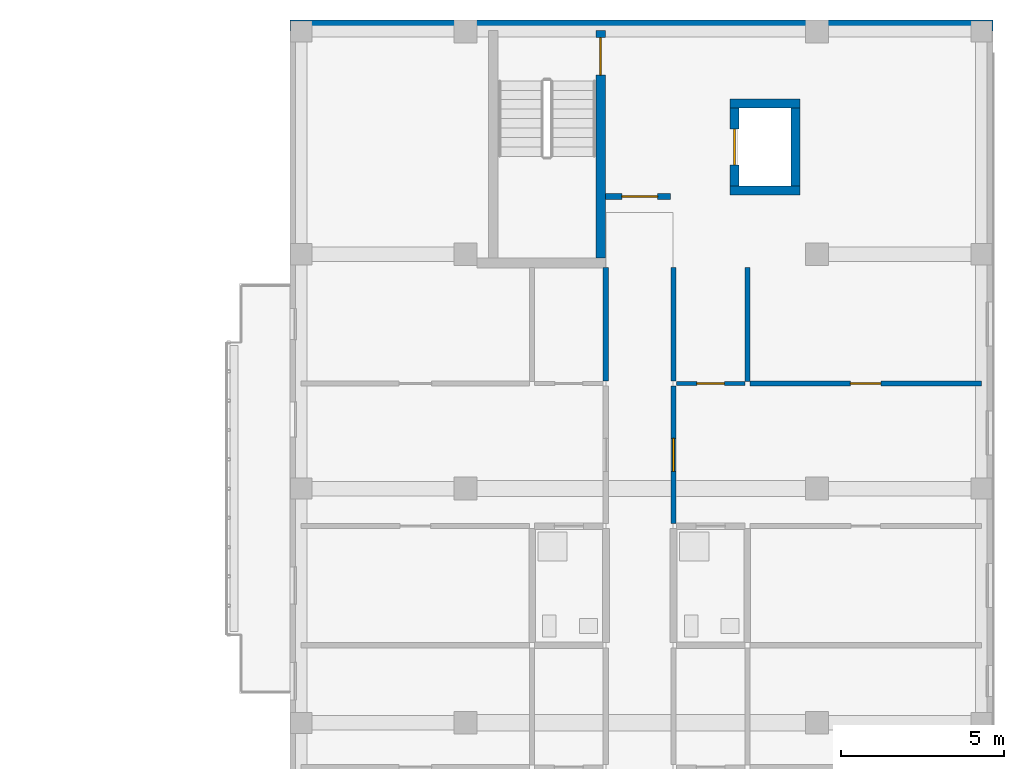
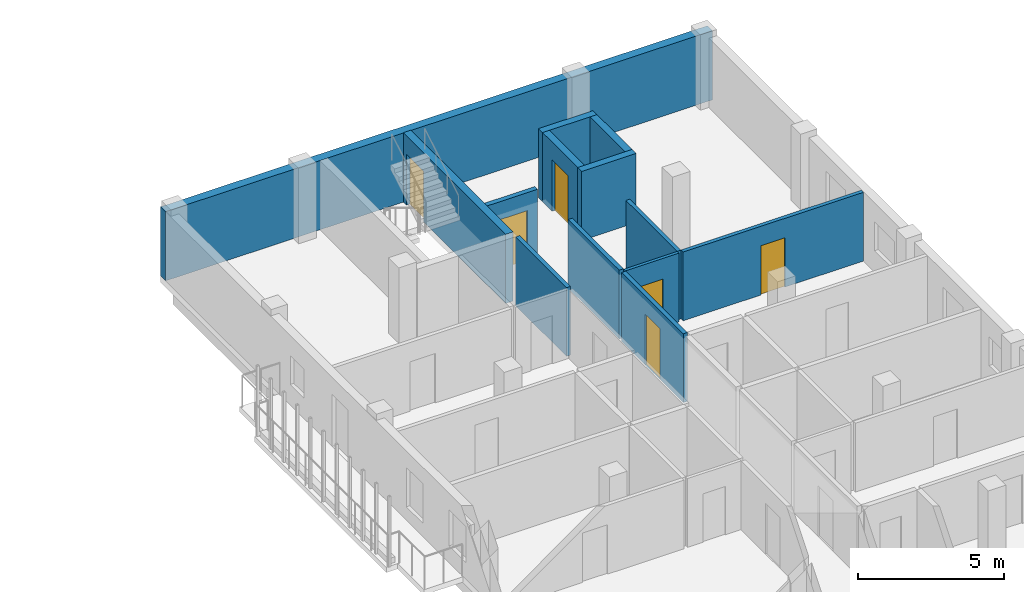
# One storey, part 39 of 56: 13 walls, 6 doors, 6 openings.
"""IFC4 building model written with IfcOpenShell, lengths in metres."""

from ifc_helpers import new_model, si_unit, derived_unit, direction, frame, frame_2d, origin, place, context, subcontext, project, spatial, rectangle, extrude, material, layer, layer_set, type_object, element, fill, save


model = new_model("IFC4")

# Units and contexts
model_context = context("Model", 3, precision=1e-05, world=origin(), true_north=direction((0.0, 1.0)))
body_context = subcontext(model_context, "Body", "Model", "MODEL_VIEW")
ifc_project = project(units=[si_unit("LENGTHUNIT", "METRE"), si_unit("AREAUNIT", "SQUARE_METRE"), si_unit("VOLUMEUNIT", "CUBIC_METRE"), si_unit("PLANEANGLEUNIT", "RADIAN"), si_unit("MASSUNIT", "GRAM", prefix="KILO"), derived_unit("THERMALTRANSMITTANCEUNIT", [(si_unit("MASSUNIT", "GRAM", prefix="KILO"), 1), (si_unit("TIMEUNIT", "SECOND"), -3), (si_unit("THERMODYNAMICTEMPERATUREUNIT", "KELVIN"), -1)])], contexts=[model_context])

# Site, building, storey
site_placement = place(None, origin())
site = spatial("IfcSite", under=ifc_project, at=site_placement, CompositionType="ELEMENT")
building_placement = place(site_placement, origin())
building = spatial("IfcBuilding", under=site, at=building_placement, Name="Ochrekiln Boulevard Commons", CompositionType="ELEMENT")
storey_placement = place(building_placement, frame((0.0, 0.0, 12.074951171875)))
storey = spatial("IfcBuildingStorey", under=building, at=storey_placement, Name="L03", CompositionType="ELEMENT", Elevation=12.074951171875)

# Walls
ifc_material_1 = material(Name="Iron-spot brown clinker brick masonry ASTM C216 Grade SW", Category="masonry")
ifc_layer_1 = layer(ifc_material_1, 0.340087890625)
ifc_layer_set_1 = layer_set([ifc_layer_1], Name="Iron-spot brown clinker brick masonry ASTM C216 Grade SW")
wall_type_1 = type_object("IfcWallType", Name="WL-EXT-IRON-340", PredefinedType="SOLIDWALL", material=ifc_layer_set_1)
wall_1_placement = place(storey_placement, frame((151.199951171875, 118.6298828125, 0.0), z_axis=(0.0, 0.0, 1.0), x_axis=(1.0, 0.0, 0.0)))
element("IfcWall", 1, at=wall_1_placement, inside=storey, type_object=wall_type_1, Name="Block B L03 N Exterior Wall", PredefinedType="SOLIDWALL", context=body_context, shape_type="SweptSolid", body=[
    extrude(rectangle(XDim=21.60009765625, YDim=0.340087890625, at=frame_2d((10.800048828125, 0.0))), origin(), (0.0, 0.0, 1.0), 2.89013671875),
])
ifc_material_2 = material(Name="Fire-rated Type X gypsum board on steel studs", Category="steel")
ifc_layer_2 = layer(ifc_material_2, 0.1650390625)
ifc_layer_set_2 = layer_set([ifc_layer_2], Name="Fire-rated Type X gypsum board on steel studs")
wall_type_2 = type_object("IfcWallType", Name="WL-PT-CORR-165", PredefinedType="PARTITIONING", material=ifc_layer_set_2)
wall_2_placement = place(storey_placement, frame((160.909912109375, 107.70703125, 0.0), z_axis=(0.0, 0.0, 1.0), x_axis=(0.0, 1.0, 0.0)))
element("IfcWall", 2, at=wall_2_placement, inside=storey, type_object=wall_type_2, Name="L03 Interior Wall W-PC165", PredefinedType="PARTITIONING", context=body_context, shape_type="SweptSolid", body=[
    extrude(rectangle(XDim=3.492919921875, YDim=0.1650390625, at=frame_2d((1.74658203125, 0.0))), origin(), (0.0, 0.0, 1.0), 2.8701171875),
])

# Wall, opening, door
wall_3_placement = place(storey_placement, frame((162.989990234375, 103.326904296875, 0.0), z_axis=(0.0, 0.0, 1.0), x_axis=(0.0, 1.0, 0.0)))
wall_3 = element("IfcWall", 3, at=wall_3_placement, inside=storey, type_object=wall_type_2, Name="L03 Interior Wall W-PC165", PredefinedType="PARTITIONING", context=body_context, shape_type="SweptSolid", body=[
    extrude(rectangle(XDim=4.22021484375, YDim=0.1650390625, at=frame_2d((2.110107421875, 0.0))), origin(), (0.0, 0.0, 1.0), 2.8701171875),
])
opening_1_placement = place(wall_3_placement, frame((1.60498046875, 0.0, 0.0)))
opening_1 = element("IfcOpeningElement", 4, at=opening_1_placement, cuts=wall_3, Name="Opening D-L03-481", PredefinedType="OPENING", context=body_context, shape_type="SweptSolid", body=[
    extrude(rectangle(XDim=1.010009765625, YDim=2.110107421875, at=frame_2d((0.5048828125, 1.05517578125))), frame((0.0, 0.092529296875, 0.0), z_axis=(0.0, -1.0, 0.0), x_axis=(1.0, 0.0, 0.0)), (0.0, 0.0, 1.0), 0.18505859375),
])
ifc_material_3 = material(Name="Solid core architectural oak door leaf")
door_type_1 = type_object("IfcDoorType", Name="DR-INT-APT-101", OperationType="NOTDEFINED", PredefinedType="DOOR", material=ifc_material_3)
door_1_placement = place(opening_1_placement, frame((1.010009765625, 0.0, 0.0), z_axis=(0.0, 0.0, 1.0), x_axis=(-1.0, 0.0, 0.0)))
door_1 = element("IfcDoor", 5, at=door_1_placement, inside=storey, type_object=door_type_1, Name="L03 Interior Door to Two-Bedroom Apartment Living Room", OperationType="SINGLE_SWING_LEFT", OverallHeight=2.110107421875, OverallWidth=1.010009765625, PredefinedType="DOOR", context=body_context, shape_type="SweptSolid", body=[
    extrude(rectangle(XDim=1.010009765625, YDim=2.110107421875, at=frame_2d((0.5048828125, 1.05517578125))), frame((0.0, 0.02490234375, 0.0), z_axis=(0.0, -1.0, 0.0), x_axis=(1.0, 0.0, 0.0)), (0.0, 0.0, 1.0), 0.050048828125),
])
fill(opening_1, door_1)

# Wall
wall_4_placement = place(storey_placement, frame((162.989990234375, 107.70703125, 0.0), z_axis=(0.0, 0.0, 1.0), x_axis=(0.0, 1.0, 0.0)))
element("IfcWall", 6, at=wall_4_placement, inside=storey, type_object=wall_type_2, Name="L03 Interior Wall W-PC165", PredefinedType="PARTITIONING", context=body_context, shape_type="SweptSolid", body=[
    extrude(rectangle(XDim=3.492919921875, YDim=0.1650390625, at=frame_2d((1.74658203125, 0.0))), origin(), (0.0, 0.0, 1.0), 2.8701171875),
])

# Wall, opening, door
ifc_layer_3 = layer(ifc_material_2, 0.18994140625)
ifc_layer_set_3 = layer_set([ifc_layer_3], Name="Fire-rated Type X gypsum board on steel studs")
wall_type_3 = type_object("IfcWallType", Name="WL-PT-LBY-190", PredefinedType="PARTITIONING", material=ifc_layer_set_3)
wall_5_placement = place(storey_placement, frame((160.89990234375, 113.3798828125, 0.0), z_axis=(0.0, 0.0, 1.0), x_axis=(1.0, 0.0, 0.0)))
wall_5 = element("IfcWall", 7, at=wall_5_placement, inside=storey, type_object=wall_type_3, Name="L03 Interior Wall W-PL190", PredefinedType="PARTITIONING", context=body_context, shape_type="SweptSolid", body=[
    extrude(rectangle(XDim=2.0, YDim=0.18994140625, at=frame_2d((1.0, 0.0))), origin(), (0.0, 0.0, 1.0), 2.8701171875),
])
opening_2_placement = place(wall_5_placement, frame((0.5, 0.0, 0.0)))
opening_2 = element("IfcOpeningElement", 8, at=opening_2_placement, cuts=wall_5, Name="Opening D-L03-473", PredefinedType="OPENING", context=body_context, shape_type="SweptSolid", body=[
    extrude(rectangle(XDim=1.10009765625, YDim=2.1201171875, at=frame_2d((0.550048828125, 1.06005859375))), frame((0.0, 0.10498046875, 0.0), z_axis=(0.0, -1.0, 0.0), x_axis=(1.0, 0.0, 0.0)), (0.0, 0.0, 1.0), 0.2099609375),
])
ifc_material_4 = material(Name="Hollow metal fire-rated steel door assembly", Category="steel")
door_type_2 = type_object("IfcDoorType", Name="DR-LOBBY-60", OperationType="NOTDEFINED", PredefinedType="DOOR", material=ifc_material_4)
door_2_placement = place(opening_2_placement, origin())
door_2 = element("IfcDoor", 9, at=door_2_placement, inside=storey, type_object=door_type_2, Name="L03 Interior Door to Fire Service Access Elevator Lobby", OperationType="SINGLE_SWING_LEFT", OverallHeight=2.1201171875, OverallWidth=1.10009765625, PredefinedType="DOOR", context=body_context, shape_type="SweptSolid", body=[
    extrude(rectangle(XDim=1.10009765625, YDim=2.1201171875, at=frame_2d((0.550048828125, 1.06005859375))), frame((0.0, 0.02490234375, 0.0), z_axis=(0.0, -1.0, 0.0), x_axis=(1.0, 0.0, 0.0)), (0.0, 0.0, 1.0), 0.050048828125),
])
fill(opening_2, door_2)

ifc_layer_4 = layer(ifc_material_2, 0.1201171875)
ifc_layer_set_4 = layer_set([ifc_layer_4], Name="Fire-rated Type X gypsum board on steel studs")
wall_type_4 = type_object("IfcWallType", Name="WL-PT-LGT-120", PredefinedType="PARTITIONING", material=ifc_layer_set_4)
wall_6_placement = place(storey_placement, frame((163.072998046875, 107.626953125, 0.0), z_axis=(0.0, 0.0, 1.0), x_axis=(1.0, 0.0, 0.0)))
wall_6 = element("IfcWall", 10, at=wall_6_placement, inside=storey, type_object=wall_type_4, Name="L03 Interior Wall W-PL120", PredefinedType="PARTITIONING", context=body_context, shape_type="SweptSolid", body=[
    extrude(rectangle(XDim=2.10693359375, YDim=0.1201171875, at=frame_2d((1.053466796875, 0.0))), origin(), (0.0, 0.0, 1.0), 2.8701171875),
])
opening_3_placement = place(wall_6_placement, frame((0.632080078125, 0.0, 0.0)))
opening_3 = element("IfcOpeningElement", 11, at=opening_3_placement, cuts=wall_6, Name="Opening D-L03-499", PredefinedType="OPENING", context=body_context, shape_type="SweptSolid", body=[
    extrude(rectangle(XDim=0.85009765625, YDim=2.010009765625, at=frame_2d((0.425048828125, 1.0048828125))), frame((0.0, 0.070068359375, 0.0), z_axis=(0.0, -1.0, 0.0), x_axis=(1.0, 0.0, 0.0)), (0.0, 0.0, 1.0), 0.14013671875),
])
door_type_3 = type_object("IfcDoorType", Name="DR-INT-KIT-085", OperationType="NOTDEFINED", PredefinedType="DOOR", material=ifc_material_3)
door_3_placement = place(opening_3_placement, origin())
door_3 = element("IfcDoor", 12, at=door_3_placement, inside=storey, type_object=door_type_3, Name="L03 Interior Door to Apartment Kitchen", OperationType="SINGLE_SWING_LEFT", OverallHeight=2.010009765625, OverallWidth=0.85009765625, PredefinedType="DOOR", context=body_context, shape_type="SweptSolid", body=[
    extrude(rectangle(XDim=0.85009765625, YDim=2.010009765625, at=frame_2d((0.425048828125, 1.0048828125))), frame((0.0, 0.02490234375, 0.0), z_axis=(0.0, -1.0, 0.0), x_axis=(1.0, 0.0, 0.0)), (0.0, 0.0, 1.0), 0.050048828125),
])
fill(opening_3, door_3)

ifc_layer_5 = layer(ifc_material_2, 0.14990234375)
ifc_layer_set_5 = layer_set([ifc_layer_5], Name="Fire-rated Type X gypsum board on steel studs")
wall_type_5 = type_object("IfcWallType", Name="WL-PT-STD-150", PredefinedType="PARTITIONING", material=ifc_layer_set_5)
wall_7_placement = place(storey_placement, frame((165.340087890625, 107.626953125, 0.0), z_axis=(0.0, 0.0, 1.0), x_axis=(1.0, 0.0, 0.0)))
wall_7 = element("IfcWall", 13, at=wall_7_placement, inside=storey, type_object=wall_type_5, Name="L03 Interior Wall W-PS150", PredefinedType="PARTITIONING", context=body_context, shape_type="SweptSolid", body=[
    extrude(rectangle(XDim=7.119873046875, YDim=0.14990234375, at=frame_2d((3.56005859375, 0.0))), origin(), (0.0, 0.0, 1.0), 2.8701171875),
])
opening_4_placement = place(wall_7_placement, frame((3.0849609375, 0.0, 0.0)))
opening_4 = element("IfcOpeningElement", 14, at=opening_4_placement, cuts=wall_7, Name="Opening D-L03-501", PredefinedType="OPENING", context=body_context, shape_type="SweptSolid", body=[
    extrude(rectangle(XDim=0.93994140625, YDim=2.06005859375, at=frame_2d((0.469970703125, 1.030029296875))), frame((0.0, 0.0849609375, 0.0), z_axis=(0.0, -1.0, 0.0), x_axis=(1.0, 0.0, 0.0)), (0.0, 0.0, 1.0), 0.169921875),
])
door_type_4 = type_object("IfcDoorType", Name="DR-INT-BED-094", OperationType="NOTDEFINED", PredefinedType="DOOR", material=ifc_material_3)
door_4_placement = place(opening_4_placement, origin())
door_4 = element("IfcDoor", 15, at=door_4_placement, inside=storey, type_object=door_type_4, Name="L03 Interior Door to Secondary Apartment Bedroom", OperationType="SINGLE_SWING_LEFT", OverallHeight=2.06005859375, OverallWidth=0.93994140625, PredefinedType="DOOR", context=body_context, shape_type="SweptSolid", body=[
    extrude(rectangle(XDim=0.93994140625, YDim=2.06005859375, at=frame_2d((0.469970703125, 1.030029296875))), frame((0.0, 0.02490234375, 0.0), z_axis=(0.0, -1.0, 0.0), x_axis=(1.0, 0.0, 0.0)), (0.0, 0.0, 1.0), 0.050048828125),
])
fill(opening_4, door_4)

# Walls
wall_8_placement = place(storey_placement, frame((165.260009765625, 107.68701171875, 0.0), z_axis=(0.0, 0.0, 1.0), x_axis=(0.0, 1.0, 0.0)))
element("IfcWall", 16, at=wall_8_placement, inside=storey, type_object=wall_type_5, Name="L03 Interior Wall W-PS150", PredefinedType="PARTITIONING", context=body_context, shape_type="SweptSolid", body=[
    extrude(rectangle(XDim=3.512939453125, YDim=0.14990234375, at=frame_2d((1.75634765625, 0.0))), origin(), (0.0, 0.0, 1.0), 2.8701171875),
])
ifc_material_5 = material(Name="Concrete C40/50", Category="concrete")
ifc_layer_6 = layer(ifc_material_5, 0.27490234375)
ifc_layer_set_6 = layer_set([ifc_layer_6], Name="Concrete C40/50")
wall_type_6 = type_object("IfcWallType", Name="WL-SH-275", PredefinedType="SHEAR", material=ifc_layer_set_6)
for number, where, z_axis, x_axis, name in (
    (17, (164.72509765625, 113.5625, 0.0), (0.0, 0.0, 1.0), (1.0, 0.0, 0.0), "Elevator FF-B2 L03 Hoistway Shear Wall"),
    (18, (164.72509765625, 116.237548828125, 0.0), (0.0, 0.0, 1.0), (1.0, 0.0, 0.0), "Elevator FF-B2 L03 Hoistway Shear Wall"),
):
    element("IfcWall", number, at=place(storey_placement, frame(where, z_axis=z_axis, x_axis=x_axis)), inside=storey, type_object=wall_type_6, Name=name, PredefinedType="SHEAR", context=body_context, shape_type="SweptSolid", body=[
        extrude(rectangle(XDim=2.14990234375, YDim=0.27490234375, at=frame_2d((1.074951171875, 0.0))), origin(), (0.0, 0.0, 1.0), 2.89013671875),
    ])

# Wall, opening, door
wall_9_placement = place(storey_placement, frame((164.862548828125, 113.699951171875, 0.0), z_axis=(0.0, 0.0, 1.0), x_axis=(0.0, 1.0, 0.0)))
wall_9 = element("IfcWall", 19, at=wall_9_placement, inside=storey, type_object=wall_type_6, Name="Elevator FF-B2 L03 Hoistway Shear Wall", PredefinedType="SHEAR", context=body_context, shape_type="SweptSolid", body=[
    extrude(rectangle(XDim=2.400146484375, YDim=0.27490234375, at=frame_2d((1.2001953125, 0.0))), origin(), (0.0, 0.0, 1.0), 2.89013671875),
])
opening_5_placement = place(wall_9_placement, frame((0.64990234375, 0.0, 0.0)))
opening_5 = element("IfcOpeningElement", 20, at=opening_5_placement, cuts=wall_9, Name="Opening LD-FF-B2-L03", PredefinedType="OPENING", context=body_context, shape_type="SweptSolid", body=[
    extrude(rectangle(XDim=1.10009765625, YDim=2.14990234375, at=frame_2d((0.550048828125, 1.074951171875))), frame((0.0, 0.1474609375, 0.0), z_axis=(0.0, -1.0, 0.0), x_axis=(1.0, 0.0, 0.0)), (0.0, 0.0, 1.0), 0.294921875),
])
ifc_material_6 = material(Name="Brushed stainless steel 316 elevator cab and doors", Category="steel")
door_type_5 = type_object("IfcDoorType", Name="DR-LIFT-LD90", OperationType="SLIDING_TO_LEFT", PredefinedType="DOOR", material=ifc_material_6)
door_5_placement = place(opening_5_placement, origin())
door_5 = element("IfcDoor", 21, at=door_5_placement, inside=storey, type_object=door_type_5, Name="Elevator FF-B2 L03 Sliding Landing Door LD-FF-B2-L03", OperationType="SLIDING_TO_LEFT", OverallHeight=2.14990234375, OverallWidth=1.10009765625, PredefinedType="DOOR", context=body_context, shape_type="SweptSolid", body=[
    extrude(rectangle(XDim=1.10009765625, YDim=2.14990234375, at=frame_2d((0.550048828125, 1.074951171875))), frame((0.0, 0.02490234375, 0.0), z_axis=(0.0, -1.0, 0.0), x_axis=(1.0, 0.0, 0.0)), (0.0, 0.0, 1.0), 0.050048828125),
])
fill(opening_5, door_5)

# Wall
wall_10_placement = place(storey_placement, frame((166.737548828125, 113.699951171875, 0.0), z_axis=(0.0, 0.0, 1.0), x_axis=(0.0, 1.0, 0.0)))
element("IfcWall", 22, at=wall_10_placement, inside=storey, type_object=wall_type_6, Name="Elevator FF-B2 L03 Hoistway Shear Wall", PredefinedType="SHEAR", context=body_context, shape_type="SweptSolid", body=[
    extrude(rectangle(XDim=2.400146484375, YDim=0.27490234375, at=frame_2d((1.2001953125, 0.0))), origin(), (0.0, 0.0, 1.0), 2.89013671875),
])

# Wall, opening, door
ifc_layer_7 = layer(ifc_material_5, 0.300048828125)
ifc_layer_set_7 = layer_set([ifc_layer_7], Name="Concrete C40/50")
wall_type_7 = type_object("IfcWallType", Name="WL-SH-300", PredefinedType="SHEAR", material=ifc_layer_set_7)
wall_11_placement = place(storey_placement, frame((160.75, 111.47998046875, 0.0), z_axis=(0.0, 0.0, 1.0), x_axis=(0.0, 1.0, 0.0)))
wall_11 = element("IfcWall", 23, at=wall_11_placement, inside=storey, type_object=wall_type_7, Name="Stair ST-B2 L03 Core Shear Wall E", PredefinedType="SHEAR", context=body_context, shape_type="SweptSolid", body=[
    extrude(rectangle(XDim=7.0, YDim=0.300048828125, at=frame_2d((3.5, 0.0))), origin(), (0.0, 0.0, 1.0), 2.89013671875),
])
opening_6_placement = place(wall_11_placement, frame((5.625, 0.0, 0.0)))
opening_6 = element("IfcOpeningElement", 24, at=opening_6_placement, cuts=wall_11, Name="Opening D-L03-ST-B2", PredefinedType="OPENING", context=body_context, shape_type="SweptSolid", body=[
    extrude(rectangle(XDim=1.14990234375, YDim=2.1201171875, at=frame_2d((0.574951171875, 1.06005859375))), frame((0.0, 0.159912109375, 0.0), z_axis=(0.0, -1.0, 0.0), x_axis=(1.0, 0.0, 0.0)), (0.0, 0.0, 1.0), 0.320068359375),
])
door_type_6 = type_object("IfcDoorType", Name="DR-STAIR-90", OperationType="NOTDEFINED", PredefinedType="DOOR", material=ifc_material_4)
door_6_placement = place(opening_6_placement, origin())
door_6 = element("IfcDoor", 25, at=door_6_placement, inside=storey, type_object=door_type_6, Name="Enclosed Exit Stair ST-B2 L03 Rated Door", OperationType="SINGLE_SWING_LEFT", OverallHeight=2.1201171875, OverallWidth=1.14990234375, PredefinedType="DOOR", context=body_context, shape_type="SweptSolid", body=[
    extrude(rectangle(XDim=1.14990234375, YDim=2.1201171875, at=frame_2d((0.574951171875, 1.06005859375))), frame((0.0, 0.02490234375, 0.0), z_axis=(0.0, -1.0, 0.0), x_axis=(1.0, 0.0, 0.0)), (0.0, 0.0, 1.0), 0.050048828125),
])
fill(opening_6, door_6)

save(model, "model.ifc")
